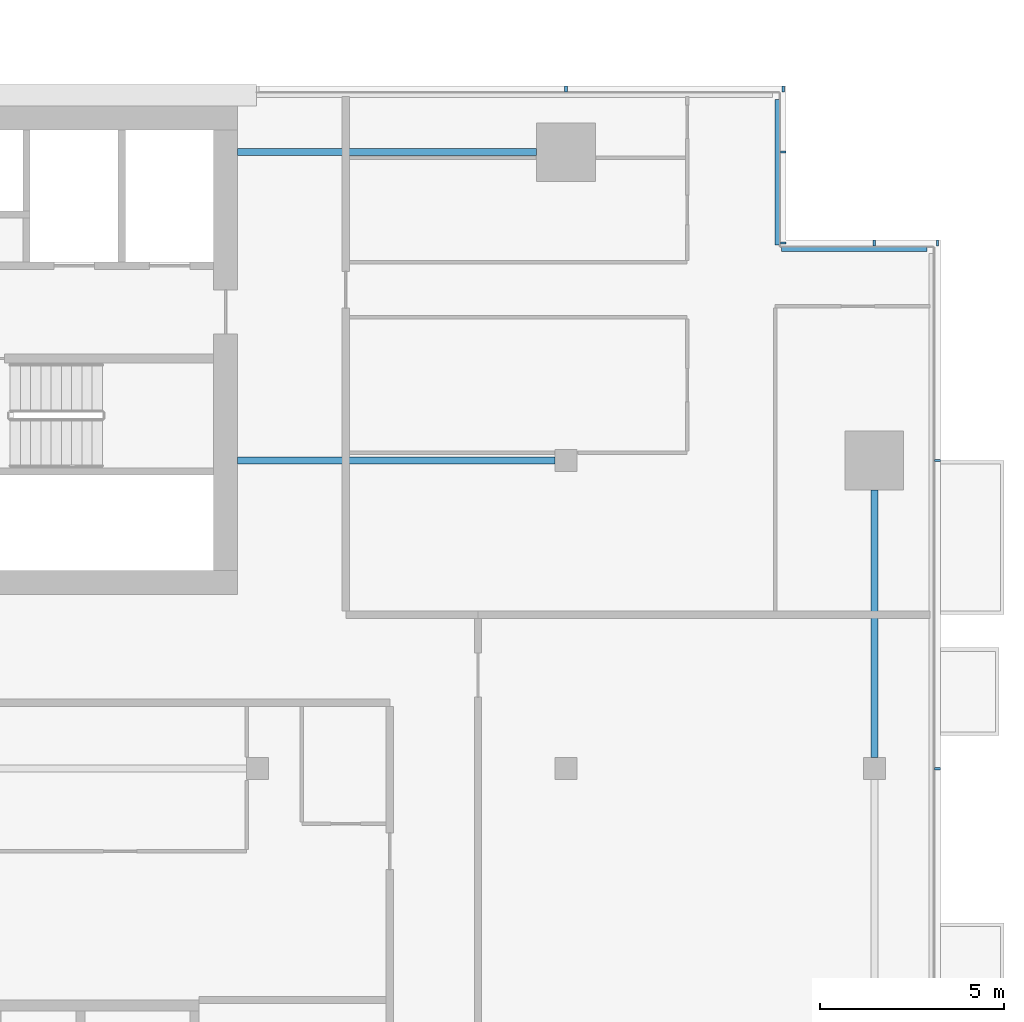
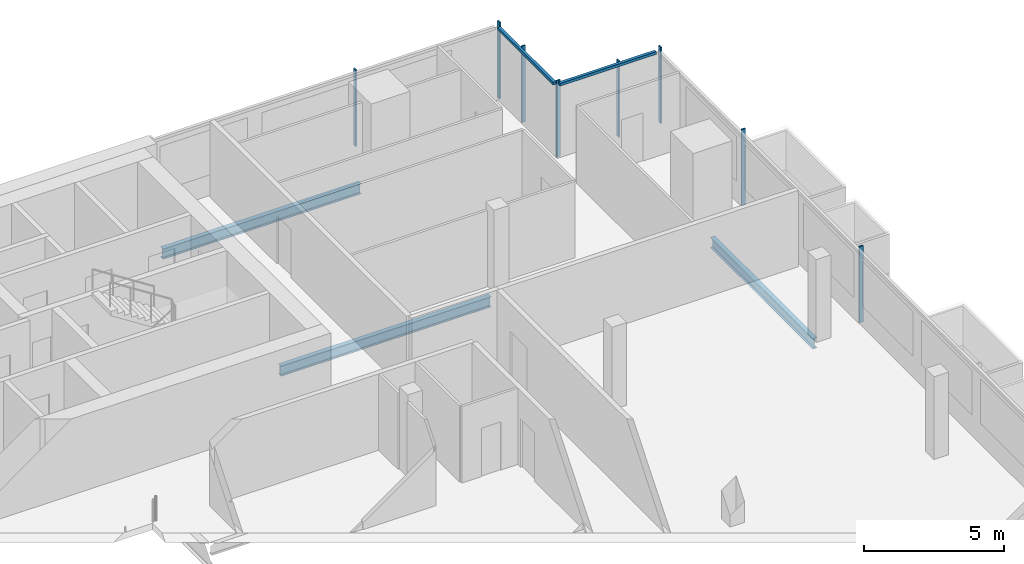
# One storey, part 13 of 27: 10 members, 3 beams, 4 elements without a shape of their own.
"""IFC4 building model written with IfcOpenShell, lengths in metres."""

from ifc_helpers import new_model, si_unit, direction, frame, origin, origin_2d, place, context, subcontext, project, spatial, rectangle, i_section, extrude, material, material_profile, profile_set, type_object, element, aggregate, save


model = new_model("IFC4")

# Units and contexts
model_context = context("Model", 3, precision=1e-05, world=origin(), true_north=direction((0.0, 1.0)))
body_context = subcontext(model_context, "Body", "Model", "MODEL_VIEW")
ifc_project = project(units=[si_unit("LENGTHUNIT", "METRE"), si_unit("AREAUNIT", "SQUARE_METRE"), si_unit("VOLUMEUNIT", "CUBIC_METRE"), si_unit("PLANEANGLEUNIT", "RADIAN"), si_unit("MASSUNIT", "GRAM", prefix="KILO")], contexts=[model_context])

# Site, building, storey
site_placement = place(None, origin())
site = spatial("IfcSite", under=ifc_project, at=site_placement, CompositionType="ELEMENT")
building_placement = place(site_placement, origin())
building = spatial("IfcBuilding", under=site, at=building_placement, Name="Saffron Gate Tower", CompositionType="ELEMENT")
storey_placement = place(building_placement, frame((0.0, 0.0, 212.699951171875)))
storey = spatial("IfcBuildingStorey", under=building, at=storey_placement, Name="L51", CompositionType="ELEMENT", Elevation=212.699951171875)

# Beams
ifc_material_1 = material(Name="Structural steel S355", Category="steel")
ifc_material_profile_1 = material_profile(ifc_material_1, i_section(OverallWidth=0.18994140625, OverallDepth=0.449951171875, WebThickness=0.009521484375, FlangeThickness=0.0146484375, FilletRadius=0.02099609375, at=origin_2d()))
ifc_profile_set_1 = profile_set([ifc_material_profile_1], Name="Structural steel S355")
beam_type_1 = type_object("IfcBeamType", Name="B6 IPE 450", PredefinedType="BEAM", material=ifc_profile_set_1)
beam_1_placement = place(storey_placement, frame((116.699951171875, 65.39990234375, -0.5048828125), z_axis=(-1.0, 0.0, 0.0), x_axis=(0.0, -1.0, 0.0)))
element("IfcBeam", 1, at=beam_1_placement, inside=storey, type_object=beam_type_1, Name="B6 CORE TIE BEAM", PredefinedType="BEAM", context=body_context, shape_type="SweptSolid", body=[
    extrude(i_section(OverallWidth=0.18994140625, OverallDepth=0.449951171875, WebThickness=0.009521484375, FlangeThickness=0.0146484375, FilletRadius=0.02099609375, at=origin_2d()), origin(), (0.0, 0.0, 1.0), 8.64990234375),
])
beam_2_placement = place(storey_placement, frame((116.199951171875, 73.800048828125, -0.5048828125), z_axis=(-1.0, 0.0, 0.0), x_axis=(0.0, -1.0, 0.0)))
element("IfcBeam", 2, at=beam_2_placement, inside=storey, type_object=beam_type_1, Name="B6 CORE TIE BEAM", PredefinedType="BEAM", context=body_context, shape_type="SweptSolid", body=[
    extrude(i_section(OverallWidth=0.18994140625, OverallDepth=0.449951171875, WebThickness=0.009521484375, FlangeThickness=0.0146484375, FilletRadius=0.02099609375, at=origin_2d()), origin(), (0.0, 0.0, 1.0), 8.14990234375),
])
ifc_material_profile_2 = material_profile(ifc_material_1, i_section(OverallWidth=0.18994140625, OverallDepth=0.449951171875, WebThickness=0.009521484375, FlangeThickness=0.0146484375, FilletRadius=0.02099609375, at=origin_2d()))
ifc_profile_set_2 = profile_set([ifc_material_profile_2], Name="Structural steel S355")
beam_type_2 = type_object("IfcBeamType", Name="B7 IPE 450", PredefinedType="SPANDREL", material=ifc_profile_set_2)
beam_3_placement = place(storey_placement, frame((125.39990234375, 57.300048828125, -0.5048828125), z_axis=(0.0, 1.0, 0.0), x_axis=(-1.0, 0.0, 0.0)))
element("IfcBeam", 3, at=beam_3_placement, inside=storey, type_object=beam_type_2, Name="B7 SPANDREL BEAM", PredefinedType="SPANDREL", context=body_context, shape_type="SweptSolid", body=[
    extrude(i_section(OverallWidth=0.18994140625, OverallDepth=0.449951171875, WebThickness=0.009521484375, FlangeThickness=0.0146484375, FilletRadius=0.02099609375, at=origin_2d()), origin(), (0.0, 0.0, 1.0), 7.300048828125),
])

# Curtain wall, members
ifc_material_2 = material(Name="Aluminium, bronze anodised", Category="aluminium")
curtain_wall_type_1 = type_object("IfcCurtainWallType", Name="CWS2 curtain wall side facades", PredefinedType="NOTDEFINED", material=ifc_material_2)
curtain_wall_1_placement = place(storey_placement, origin())
curtain_wall_1 = element("IfcCurtainWall", 4, at=curtain_wall_1_placement, inside=storey, type_object=curtain_wall_type_1, Name="CWS2 run 4", PredefinedType="NOTDEFINED")
ifc_material_profile_3 = material_profile(ifc_material_2, rectangle(XDim=0.159912109375, YDim=0.06005859375, at=origin_2d()))
ifc_profile_set_3 = profile_set([ifc_material_profile_3], Name="Aluminium, bronze anodised")
member_type_1 = type_object("IfcMemberType", Name="CWS2 mullion 60x160", PredefinedType="MULLION", material=ifc_profile_set_3)
member_1_placement = place(storey_placement, frame((127.1201171875, 57.0, 0.0), z_axis=(0.0, 0.0, 1.0), x_axis=(-1.0, 0.0, 0.0)))
member_1 = element("IfcMember", 5, at=member_1_placement, type_object=member_type_1, Name="CWS2 mullion 4", PredefinedType="MULLION", context=body_context, shape_type="SweptSolid", body=[
    extrude(rectangle(XDim=0.159912109375, YDim=0.06005859375, at=origin_2d()), origin(), (0.0, 0.0, 1.0), 3.320068359375),
])
member_2_placement = place(storey_placement, frame((127.1201171875, 65.39990234375, 0.0), z_axis=(0.0, 0.0, 1.0), x_axis=(-1.0, 0.0, 0.0)))
member_2 = element("IfcMember", 6, at=member_2_placement, type_object=member_type_1, Name="CWS2 mullion 5", PredefinedType="MULLION", context=body_context, shape_type="SweptSolid", body=[
    extrude(rectangle(XDim=0.159912109375, YDim=0.06005859375, at=origin_2d()), origin(), (0.0, 0.0, 1.0), 3.320068359375),
])
aggregate(curtain_wall_1, [member_1, member_2])

curtain_wall_type_2 = type_object("IfcCurtainWallType", Name="CWS3 curtain wall rear facade", PredefinedType="NOTDEFINED", material=ifc_material_2)
curtain_wall_2_placement = place(storey_placement, origin())
curtain_wall_2 = element("IfcCurtainWall", 7, at=curtain_wall_2_placement, inside=storey, type_object=curtain_wall_type_2, Name="CWS3 run 7", PredefinedType="NOTDEFINED")
ifc_material_profile_4 = material_profile(ifc_material_2, rectangle(XDim=0.159912109375, YDim=0.070068359375, at=origin_2d()))
ifc_profile_set_4 = profile_set([ifc_material_profile_4], Name="Aluminium, bronze anodised")
member_type_2 = type_object("IfcMemberType", Name="CWS3 mullion 70x160", PredefinedType="MULLION", material=ifc_profile_set_4)
member_3_placement = place(storey_placement, frame((122.919921875, 75.52001953125, 0.0), z_axis=(0.0, 0.0, 1.0), x_axis=(0.0, -1.0, 0.0)))
member_3 = element("IfcMember", 8, at=member_3_placement, type_object=member_type_2, Name="CWS3 mullion 1", PredefinedType="MULLION", context=body_context, shape_type="SweptSolid", body=[
    extrude(rectangle(XDim=0.159912109375, YDim=0.070068359375, at=origin_2d()), origin(), (0.0, 0.0, 1.0), 3.320068359375),
])
member_4_placement = place(storey_placement, frame((117.0, 75.52001953125, 0.0), z_axis=(0.0, 0.0, 1.0), x_axis=(0.0, -1.0, 0.0)))
member_4 = element("IfcMember", 9, at=member_4_placement, type_object=member_type_2, Name="CWS3 mullion 2", PredefinedType="MULLION", context=body_context, shape_type="SweptSolid", body=[
    extrude(rectangle(XDim=0.159912109375, YDim=0.070068359375, at=origin_2d()), origin(), (0.0, 0.0, 1.0), 3.320068359375),
])
aggregate(curtain_wall_2, [member_3, member_4])

# Curtain wall, member
curtain_wall_type_3 = type_object("IfcCurtainWallType", Name="CWS4 curtain wall corner returns", PredefinedType="NOTDEFINED", material=ifc_material_2)
curtain_wall_3_placement = place(storey_placement, origin())
curtain_wall_3 = element("IfcCurtainWall", 10, at=curtain_wall_3_placement, inside=storey, type_object=curtain_wall_type_3, Name="CWS4 run 5", PredefinedType="NOTDEFINED")
ifc_material_profile_5 = material_profile(ifc_material_2, rectangle(XDim=0.1201171875, YDim=0.1201171875, at=origin_2d()))
ifc_profile_set_5 = profile_set([ifc_material_profile_5], Name="Aluminium, bronze anodised")
member_type_3 = type_object("IfcMemberType", Name="CWS4 head transom", PredefinedType="USERDEFINED", material=ifc_profile_set_5)
member_5_placement = place(storey_placement, frame((126.83203125, 71.152099609375, 3.260009765625), z_axis=(-1.0, 0.0, 0.0), x_axis=(0.0, -1.0, 0.0)))
member_5 = element("IfcMember", 11, at=member_5_placement, type_object=member_type_3, Name="CWS4 head transom", ObjectType="TRANSOM", PredefinedType="USERDEFINED", context=body_context, shape_type="SweptSolid", body=[
    extrude(rectangle(XDim=0.1201171875, YDim=0.1201171875, at=origin_2d()), origin(), (0.0, 0.0, 1.0), 3.9599609375),
])

curtain_wall_4_placement = place(storey_placement, origin())
curtain_wall_4 = element("IfcCurtainWall", 12, at=curtain_wall_4_placement, inside=storey, type_object=curtain_wall_type_3, Name="CWS4 run 6", PredefinedType="NOTDEFINED")
member_6_placement = place(storey_placement, frame((122.751953125, 71.27197265625, 3.260009765625), z_axis=(0.0, 1.0, 0.0), x_axis=(-1.0, 0.0, 0.0)))
member_6 = element("IfcMember", 13, at=member_6_placement, type_object=member_type_3, Name="CWS4 head transom", ObjectType="TRANSOM", PredefinedType="USERDEFINED", context=body_context, shape_type="SweptSolid", body=[
    extrude(rectangle(XDim=0.1201171875, YDim=0.1201171875, at=origin_2d()), origin(), (0.0, 0.0, 1.0), 3.9599609375),
])

# Member
ifc_material_profile_6 = material_profile(ifc_material_2, rectangle(XDim=0.159912109375, YDim=0.06005859375, at=origin_2d()))
ifc_profile_set_6 = profile_set([ifc_material_profile_6], Name="Aluminium, bronze anodised")
member_type_4 = type_object("IfcMemberType", Name="CWS4 mullion 60x160", PredefinedType="MULLION", material=ifc_profile_set_6)
member_7_placement = place(storey_placement, frame((127.1201171875, 71.320068359375, 0.0), z_axis=(0.0, 0.0, 1.0), x_axis=(0.0, -1.0, 0.0)))
member_7 = element("IfcMember", 14, at=member_7_placement, type_object=member_type_4, Name="CWS4 mullion 1", PredefinedType="MULLION", context=body_context, shape_type="SweptSolid", body=[
    extrude(rectangle(XDim=0.159912109375, YDim=0.06005859375, at=origin_2d()), origin(), (0.0, 0.0, 1.0), 3.320068359375),
])

member_8_placement = place(storey_placement, frame((125.39990234375, 71.320068359375, 0.0), z_axis=(0.0, 0.0, 1.0), x_axis=(0.0, -1.0, 0.0)))
member_8 = element("IfcMember", 15, at=member_8_placement, type_object=member_type_4, Name="CWS4 mullion 2", PredefinedType="MULLION", context=body_context, shape_type="SweptSolid", body=[
    extrude(rectangle(XDim=0.159912109375, YDim=0.06005859375, at=origin_2d()), origin(), (0.0, 0.0, 1.0), 3.320068359375),
])

aggregate(curtain_wall_3, [member_7, member_8, member_5])

member_9_placement = place(storey_placement, frame((122.919921875, 71.320068359375, 0.0), z_axis=(0.0, 0.0, 1.0), x_axis=(-1.0, 0.0, 0.0)))
member_9 = element("IfcMember", 16, at=member_9_placement, type_object=member_type_4, Name="CWS4 mullion 1", PredefinedType="MULLION", context=body_context, shape_type="SweptSolid", body=[
    extrude(rectangle(XDim=0.159912109375, YDim=0.06005859375, at=origin_2d()), origin(), (0.0, 0.0, 1.0), 3.320068359375),
])

member_10_placement = place(storey_placement, frame((122.919921875, 73.800048828125, 0.0), z_axis=(0.0, 0.0, 1.0), x_axis=(-1.0, 0.0, 0.0)))
member_10 = element("IfcMember", 17, at=member_10_placement, type_object=member_type_4, Name="CWS4 mullion 2", PredefinedType="MULLION", context=body_context, shape_type="SweptSolid", body=[
    extrude(rectangle(XDim=0.159912109375, YDim=0.06005859375, at=origin_2d()), origin(), (0.0, 0.0, 1.0), 3.320068359375),
])

aggregate(curtain_wall_4, [member_9, member_10, member_6])

save(model, "model.ifc")
